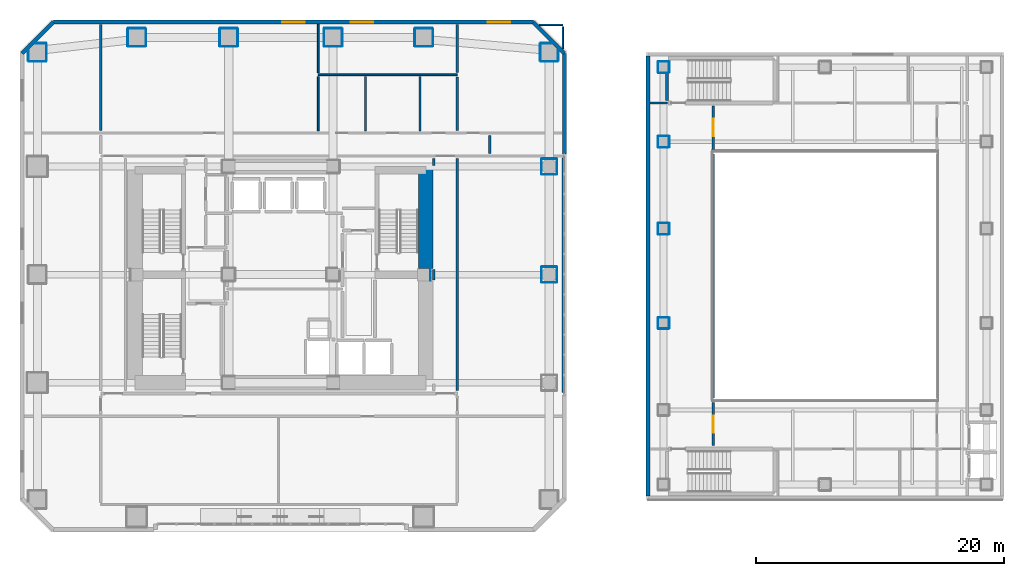
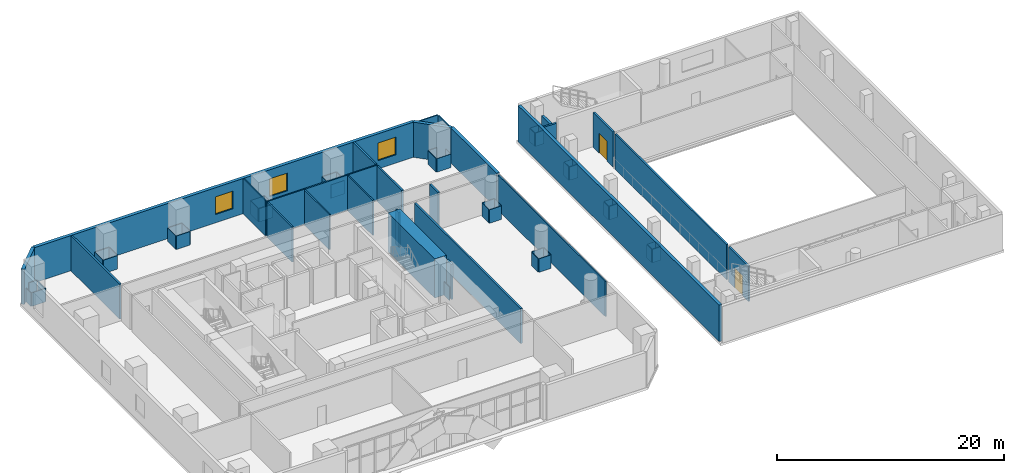
# One storey, part 17 of 22: 75 walls, 3 windows, 2 doors, 5 openings.
"""IFC4 building model written with IfcOpenShell, lengths in metres."""

from ifc_helpers import new_model, si_unit, direction, frame, frame_2d, origin, place, context, subcontext, project, spatial, rectangle, extrude, material, layer, layer_set, type_object, element, fill, save


model = new_model("IFC4")

# Units and contexts
model_context = context("Model", 3, precision=1e-05, world=origin(), true_north=direction((0.0, 1.0)))
body_context = subcontext(model_context, "Body", "Model", "MODEL_VIEW")
ifc_project = project(units=[si_unit("LENGTHUNIT", "METRE"), si_unit("AREAUNIT", "SQUARE_METRE"), si_unit("VOLUMEUNIT", "CUBIC_METRE"), si_unit("PLANEANGLEUNIT", "RADIAN"), si_unit("MASSUNIT", "GRAM", prefix="KILO")], contexts=[model_context])

# Site, building, storey
site_placement = place(None, origin())
site = spatial("IfcSite", under=ifc_project, at=site_placement, CompositionType="ELEMENT")
building_placement = place(site_placement, origin())
building = spatial("IfcBuilding", under=site, at=building_placement, Name="Solanera Arch Residences", CompositionType="ELEMENT")
storey_placement = place(building_placement, frame((0.0, 0.0, 13.60009765625)))
storey = spatial("IfcBuildingStorey", under=building, at=storey_placement, Name="L03", CompositionType="ELEMENT", Elevation=13.60009765625)

# Walls
ifc_material_1 = material(Name="Fire-Rated Gypsum Stud Partition", Category="gypsum")
ifc_layer_1 = layer(ifc_material_1, 0.06005859375)
ifc_layer_set_1 = layer_set([ifc_layer_1], Name="Fire-Rated Gypsum Stud Partition")
wall_type_1 = type_object("IfcWallType", Name="Column Acoustic Furring Wall 60", PredefinedType="PARTITIONING", material=ifc_layer_set_1)
wall_1_placement = place(storey_placement, frame((37.031982421875, 30.2099609375, 0.0), z_axis=(0.0, 0.0, 1.0), x_axis=(0.0, 1.0, 0.0)))
element("IfcWall", 1, at=wall_1_placement, inside=storey, type_object=wall_type_1, Name="L03 Column Furring 6E", PredefinedType="PARTITIONING", context=body_context, shape_type="SweptSolid", body=[
    extrude(rectangle(XDim=0.97998046875, YDim=0.06005859375, at=frame_2d((0.489990234375, 0.0))), origin(), (0.0, 0.0, 1.0), 1.449951171875),
])
for number, where, z_axis, x_axis, name in (
    (2, (12.699951171875, 49.068115234375, 0.0), (0.0, 0.0, 1.0), (1.0, 0.0, 0.0), "L03 Column Furring 11S"),
    (3, (12.699951171875, 50.531982421875, 0.0), (0.0, 0.0, 1.0), (1.0, 0.0, 0.0), "L03 Column Furring 11N"),
):
    element("IfcWall", number, at=place(storey_placement, frame(where, z_axis=z_axis, x_axis=x_axis)), inside=storey, type_object=wall_type_1, Name=name, PredefinedType="PARTITIONING", context=body_context, shape_type="SweptSolid", body=[
        extrude(rectangle(XDim=1.400146484375, YDim=0.06005859375, at=frame_2d((0.7001953125, 0.0))), origin(), (0.0, 0.0, 1.0), 1.449951171875),
    ])
for number, where, z_axis, x_axis, name in (
    (4, (12.66796875, 49.10009765625, 0.0), (0.0, 0.0, 1.0), (0.0, 1.0, 0.0), "L03 Column Furring 11W"),
    (5, (14.132080078125, 49.10009765625, 0.0), (0.0, 0.0, 1.0), (0.0, 1.0, 0.0), "L03 Column Furring 11E"),
    (6, (20.10009765625, 49.068115234375, 0.0), (0.0, 0.0, 1.0), (1.0, 0.0, 0.0), "L03 Column Furring 12S"),
    (7, (20.10009765625, 50.531982421875, 0.0), (0.0, 0.0, 1.0), (1.0, 0.0, 0.0), "L03 Column Furring 12N"),
    (8, (20.068115234375, 49.10009765625, 0.0), (0.0, 0.0, 1.0), (0.0, 1.0, 0.0), "L03 Column Furring 12W"),
    (9, (21.531982421875, 49.10009765625, 0.0), (0.0, 0.0, 1.0), (0.0, 1.0, 0.0), "L03 Column Furring 12E"),
    (10, (28.5, 49.068115234375, 0.0), (0.0, 0.0, 1.0), (1.0, 0.0, 0.0), "L03 Column Furring 13S"),
    (11, (28.5, 50.531982421875, 0.0), (0.0, 0.0, 1.0), (1.0, 0.0, 0.0), "L03 Column Furring 13N"),
    (12, (28.468017578125, 49.10009765625, 0.0), (0.0, 0.0, 1.0), (0.0, 1.0, 0.0), "L03 Column Furring 13W"),
    (13, (29.931884765625, 49.10009765625, 0.0), (0.0, 0.0, 1.0), (0.0, 1.0, 0.0), "L03 Column Furring 13E"),
    (14, (35.800048828125, 49.068115234375, 0.0), (0.0, 0.0, 1.0), (1.0, 0.0, 0.0), "L03 Column Furring 14S"),
    (15, (35.800048828125, 50.531982421875, 0.0), (0.0, 0.0, 1.0), (1.0, 0.0, 0.0), "L03 Column Furring 14N"),
    (16, (35.76806640625, 49.10009765625, 0.0), (0.0, 0.0, 1.0), (0.0, 1.0, 0.0), "L03 Column Furring 14W"),
    (17, (37.23193359375, 49.10009765625, 0.0), (0.0, 0.0, 1.0), (0.0, 1.0, 0.0), "L03 Column Furring 14E"),
):
    element("IfcWall", number, at=place(storey_placement, frame(where, z_axis=z_axis, x_axis=x_axis)), inside=storey, type_object=wall_type_1, Name=name, PredefinedType="PARTITIONING", context=body_context, shape_type="SweptSolid", body=[
        extrude(rectangle(XDim=1.39990234375, YDim=0.06005859375, at=frame_2d((0.699951171875, 0.0))), origin(), (0.0, 0.0, 1.0), 1.449951171875),
    ])
for number, where, z_axis, x_axis, name in (
    (18, (46.0, 30.068115234375, 0.0), (0.0, 0.0, 1.0), (1.0, 0.0, 0.0), "L03 Column Furring 19S"),
    (19, (46.0, 31.33203125, 0.0), (0.0, 0.0, 1.0), (1.0, 0.0, 0.0), "L03 Column Furring 19N"),
    (20, (45.968017578125, 30.10009765625, 0.0), (0.0, 0.0, 1.0), (0.0, 1.0, 0.0), "L03 Column Furring 19W"),
    (21, (47.23193359375, 30.10009765625, 0.0), (0.0, 0.0, 1.0), (0.0, 1.0, 0.0), "L03 Column Furring 19E"),
    (22, (46.0, 38.76806640625, 0.0), (0.0, 0.0, 1.0), (1.0, 0.0, 0.0), "L03 Column Furring 20S"),
    (23, (46.0, 40.031982421875, 0.0), (0.0, 0.0, 1.0), (1.0, 0.0, 0.0), "L03 Column Furring 20N"),
    (24, (45.968017578125, 38.800048828125, 0.0), (0.0, 0.0, 1.0), (0.0, 1.0, 0.0), "L03 Column Furring 20W"),
    (25, (47.23193359375, 38.800048828125, 0.0), (0.0, 0.0, 1.0), (0.0, 1.0, 0.0), "L03 Column Furring 20E"),
):
    element("IfcWall", number, at=place(storey_placement, frame(where, z_axis=z_axis, x_axis=x_axis)), inside=storey, type_object=wall_type_1, Name=name, PredefinedType="PARTITIONING", context=body_context, shape_type="SweptSolid", body=[
        extrude(rectangle(XDim=1.199951171875, YDim=0.06005859375, at=frame_2d((0.60009765625, 0.0))), origin(), (0.0, 0.0, 1.0), 1.449951171875),
    ])
wall_2_placement = place(storey_placement, frame((4.699951171875, 47.867919921875, 0.0), z_axis=(0.0, 0.0, 1.0), x_axis=(1.0, 0.0, 0.0)))
element("IfcWall", 26, at=wall_2_placement, inside=storey, type_object=wall_type_1, Name="L03 Column Furring 23S", PredefinedType="PARTITIONING", context=body_context, shape_type="SweptSolid", body=[
    extrude(rectangle(XDim=1.400146484375, YDim=0.06005859375, at=frame_2d((0.7001953125, 0.0))), origin(), (0.0, 0.0, 1.0), 1.449951171875),
])
for number, where, z_axis, x_axis, name in (
    (27, (5.239013671875, 49.33203125, 0.0), (0.0, 0.0, 1.0), (1.0, 0.0, 0.0), "L03 Column Furring 23N"),
    (28, (4.66796875, 47.89990234375, 0.0), (0.0, 0.0, 1.0), (0.0, 1.0, 0.0), "L03 Column Furring 23W"),
):
    element("IfcWall", number, at=place(storey_placement, frame(where, z_axis=z_axis, x_axis=x_axis)), inside=storey, type_object=wall_type_1, Name=name, PredefinedType="PARTITIONING", context=body_context, shape_type="SweptSolid", body=[
        extrude(rectangle(XDim=0.861083984375, YDim=0.06005859375, at=frame_2d((0.4306640625, 0.0))), origin(), (0.0, 0.0, 1.0), 1.449951171875),
    ])
for number, where, z_axis, x_axis, name in (
    (29, (6.132080078125, 47.89990234375, 0.0), (0.0, 0.0, 1.0), (0.0, 1.0, 0.0), "L03 Column Furring 23E"),
    (30, (45.89990234375, 47.867919921875, 0.0), (0.0, 0.0, 1.0), (1.0, 0.0, 0.0), "L03 Column Furring 24S"),
):
    element("IfcWall", number, at=place(storey_placement, frame(where, z_axis=z_axis, x_axis=x_axis)), inside=storey, type_object=wall_type_1, Name=name, PredefinedType="PARTITIONING", context=body_context, shape_type="SweptSolid", body=[
        extrude(rectangle(XDim=1.400146484375, YDim=0.06005859375, at=frame_2d((0.7001953125, 0.0))), origin(), (0.0, 0.0, 1.0), 1.449951171875),
    ])
wall_3_placement = place(storey_placement, frame((45.89990234375, 49.33203125, 0.0), z_axis=(0.0, 0.0, 1.0), x_axis=(1.0, 0.0, 0.0)))
element("IfcWall", 31, at=wall_3_placement, inside=storey, type_object=wall_type_1, Name="L03 Column Furring 24N", PredefinedType="PARTITIONING", context=body_context, shape_type="SweptSolid", body=[
    extrude(rectangle(XDim=0.861083984375, YDim=0.06005859375, at=frame_2d((0.4306640625, 0.0))), origin(), (0.0, 0.0, 1.0), 1.449951171875),
])
wall_4_placement = place(storey_placement, frame((45.867919921875, 47.89990234375, 0.0), z_axis=(0.0, 0.0, 1.0), x_axis=(0.0, 1.0, 0.0)))
element("IfcWall", 32, at=wall_4_placement, inside=storey, type_object=wall_type_1, Name="L03 Column Furring 24W", PredefinedType="PARTITIONING", context=body_context, shape_type="SweptSolid", body=[
    extrude(rectangle(XDim=1.400146484375, YDim=0.06005859375, at=frame_2d((0.7001953125, 0.0))), origin(), (0.0, 0.0, 1.0), 1.449951171875),
])
wall_5_placement = place(storey_placement, frame((47.33203125, 47.89990234375, 0.0), z_axis=(0.0, 0.0, 1.0), x_axis=(0.0, 1.0, 0.0)))
element("IfcWall", 33, at=wall_5_placement, inside=storey, type_object=wall_type_1, Name="L03 Column Furring 24E", PredefinedType="PARTITIONING", context=body_context, shape_type="SweptSolid", body=[
    extrude(rectangle(XDim=0.861083984375, YDim=0.06005859375, at=frame_2d((0.4306640625, 0.0))), origin(), (0.0, 0.0, 1.0), 1.449951171875),
])
for number, where, z_axis, x_axis, name in (
    (34, (55.375, 26.343017578125, 0.0), (0.0, 0.0, 1.0), (1.0, 0.0, 0.0), "L03 Column Furring 27S"),
    (35, (55.375, 27.257080078125, 0.0), (0.0, 0.0, 1.0), (1.0, 0.0, 0.0), "L03 Column Furring 27N"),
    (36, (55.343017578125, 26.375, 0.0), (0.0, 0.0, 1.0), (0.0, 1.0, 0.0), "L03 Column Furring 27W"),
    (37, (56.257080078125, 26.375, 0.0), (0.0, 0.0, 1.0), (0.0, 1.0, 0.0), "L03 Column Furring 27E"),
    (38, (55.375, 33.943115234375, 0.0), (0.0, 0.0, 1.0), (1.0, 0.0, 0.0), "L03 Column Furring 28S"),
    (39, (55.375, 34.85693359375, 0.0), (0.0, 0.0, 1.0), (1.0, 0.0, 0.0), "L03 Column Furring 28N"),
):
    element("IfcWall", number, at=place(storey_placement, frame(where, z_axis=z_axis, x_axis=x_axis)), inside=storey, type_object=wall_type_1, Name=name, PredefinedType="PARTITIONING", context=body_context, shape_type="SweptSolid", body=[
        extrude(rectangle(XDim=0.85009765625, YDim=0.06005859375, at=frame_2d((0.425048828125, 0.0))), origin(), (0.0, 0.0, 1.0), 1.449951171875),
    ])
for number, where, z_axis, x_axis, name in (
    (40, (55.343017578125, 33.97509765625, 0.0), (0.0, 0.0, 1.0), (0.0, 1.0, 0.0), "L03 Column Furring 28W"),
    (41, (56.257080078125, 33.97509765625, 0.0), (0.0, 0.0, 1.0), (0.0, 1.0, 0.0), "L03 Column Furring 28E"),
):
    element("IfcWall", number, at=place(storey_placement, frame(where, z_axis=z_axis, x_axis=x_axis)), inside=storey, type_object=wall_type_1, Name=name, PredefinedType="PARTITIONING", context=body_context, shape_type="SweptSolid", body=[
        extrude(rectangle(XDim=0.849853515625, YDim=0.06005859375, at=frame_2d((0.4248046875, 0.0))), origin(), (0.0, 0.0, 1.0), 1.449951171875),
    ])
for number, where, z_axis, x_axis, name in (
    (42, (55.375, 40.943115234375, 0.0), (0.0, 0.0, 1.0), (1.0, 0.0, 0.0), "L03 Column Furring 29S"),
    (43, (55.375, 41.85693359375, 0.0), (0.0, 0.0, 1.0), (1.0, 0.0, 0.0), "L03 Column Furring 29N"),
):
    element("IfcWall", number, at=place(storey_placement, frame(where, z_axis=z_axis, x_axis=x_axis)), inside=storey, type_object=wall_type_1, Name=name, PredefinedType="PARTITIONING", context=body_context, shape_type="SweptSolid", body=[
        extrude(rectangle(XDim=0.85009765625, YDim=0.06005859375, at=frame_2d((0.425048828125, 0.0))), origin(), (0.0, 0.0, 1.0), 1.449951171875),
    ])
for number, where, z_axis, x_axis, name in (
    (44, (55.343017578125, 40.97509765625, 0.0), (0.0, 0.0, 1.0), (0.0, 1.0, 0.0), "L03 Column Furring 29W"),
    (45, (56.257080078125, 40.97509765625, 0.0), (0.0, 0.0, 1.0), (0.0, 1.0, 0.0), "L03 Column Furring 29E"),
):
    element("IfcWall", number, at=place(storey_placement, frame(where, z_axis=z_axis, x_axis=x_axis)), inside=storey, type_object=wall_type_1, Name=name, PredefinedType="PARTITIONING", context=body_context, shape_type="SweptSolid", body=[
        extrude(rectangle(XDim=0.849853515625, YDim=0.06005859375, at=frame_2d((0.4248046875, 0.0))), origin(), (0.0, 0.0, 1.0), 1.449951171875),
    ])
for number, where, z_axis, x_axis, name in (
    (46, (55.375, 46.943115234375, 0.0), (0.0, 0.0, 1.0), (1.0, 0.0, 0.0), "L03 Column Furring 30S"),
    (47, (55.375, 47.85693359375, 0.0), (0.0, 0.0, 1.0), (1.0, 0.0, 0.0), "L03 Column Furring 30N"),
):
    element("IfcWall", number, at=place(storey_placement, frame(where, z_axis=z_axis, x_axis=x_axis)), inside=storey, type_object=wall_type_1, Name=name, PredefinedType="PARTITIONING", context=body_context, shape_type="SweptSolid", body=[
        extrude(rectangle(XDim=0.85009765625, YDim=0.06005859375, at=frame_2d((0.425048828125, 0.0))), origin(), (0.0, 0.0, 1.0), 1.449951171875),
    ])
for number, where, z_axis, x_axis, name in (
    (48, (55.343017578125, 46.97509765625, 0.0), (0.0, 0.0, 1.0), (0.0, 1.0, 0.0), "L03 Column Furring 30W"),
    (49, (56.257080078125, 46.97509765625, 0.0), (0.0, 0.0, 1.0), (0.0, 1.0, 0.0), "L03 Column Furring 30E"),
):
    element("IfcWall", number, at=place(storey_placement, frame(where, z_axis=z_axis, x_axis=x_axis)), inside=storey, type_object=wall_type_1, Name=name, PredefinedType="PARTITIONING", context=body_context, shape_type="SweptSolid", body=[
        extrude(rectangle(XDim=0.849853515625, YDim=0.06005859375, at=frame_2d((0.4248046875, 0.0))), origin(), (0.0, 0.0, 1.0), 1.449951171875),
    ])
ifc_material_2 = material(Name="Concrete C55/67 (f'c = 60 MPa)", Category="concrete")
ifc_layer_2 = layer(ifc_material_2, 1.199951171875)
ifc_layer_set_2 = layer_set([ifc_layer_2], Name="Concrete C55/67 (f'c = 60 MPa)")
wall_type_2 = type_object("IfcWallType", Name="Core Shear Wall CW-1200", PredefinedType="SHEAR", material=ifc_layer_set_2)
wall_6_placement = place(storey_placement, frame((36.659912109375, 31.205078125, 0.0), z_axis=(0.0, 0.0, 1.0), x_axis=(0.0, 1.0, 0.0)))
element("IfcWall", 50, at=wall_6_placement, inside=storey, type_object=wall_type_2, Name="L03 East Core North Shear Wall", PredefinedType="SHEAR", context=body_context, shape_type="SweptSolid", body=[
    extrude(rectangle(XDim=8.19482421875, YDim=1.199951171875, at=frame_2d((4.097412109375, 0.0))), origin(), (0.0, 0.0, 1.0), 4.199951171875),
])
ifc_material_3 = material(Name="Autoclaved Aerated Concrete Blockwork", Category="masonry")
ifc_layer_3 = layer(ifc_material_3, 0.179931640625)
ifc_layer_set_3 = layer_set([ifc_layer_3], Name="Autoclaved Aerated Concrete Blockwork")
wall_type_3 = type_object("IfcWallType", Name="Corridor Fire Partition 180", PredefinedType="PARTITIONING", material=ifc_layer_set_3)
wall_7_placement = place(storey_placement, frame((54.7119140625, 44.52001953125, 0.0), z_axis=(0.0, 0.0, 1.0), x_axis=(1.0, 0.0, 0.0)))
element("IfcWall", 51, at=wall_7_placement, inside=storey, type_object=wall_type_3, Name="L03 Interior Partition H16 1", PredefinedType="PARTITIONING", context=body_context, shape_type="SweptSolid", body=[
    extrude(rectangle(XDim=1.38818359375, YDim=0.179931640625, at=frame_2d((0.694091796875, 0.0))), origin(), (0.0, 0.0, 1.0), 3.77978515625),
])
wall_8_placement = place(storey_placement, frame((10.5, 42.2880859375, 0.0), z_axis=(0.0, 0.0, 1.0), x_axis=(0.0, 1.0, 0.0)))
element("IfcWall", 52, at=wall_8_placement, inside=storey, type_object=wall_type_3, Name="L03 Interior Partition V6 5", PredefinedType="PARTITIONING", context=body_context, shape_type="SweptSolid", body=[
    extrude(rectangle(XDim=8.559814453125, YDim=0.179931640625, at=frame_2d((4.27978515625, 0.0))), origin(), (0.0, 0.0, 1.0), 3.77978515625),
])
wall_9_placement = place(storey_placement, frame((37.300048828125, 30.287109375, 0.0), z_axis=(0.0, 0.0, 1.0), x_axis=(0.0, 1.0, 0.0)))
element("IfcWall", 53, at=wall_9_placement, inside=storey, type_object=wall_type_3, Name="L03 Interior Partition V9 2", PredefinedType="PARTITIONING", context=body_context, shape_type="SweptSolid", body=[
    extrude(rectangle(XDim=0.825927734375, YDim=0.179931640625, at=frame_2d((0.4130859375, 0.0))), origin(), (0.0, 0.0, 1.0), 3.77978515625),
])
wall_10_placement = place(storey_placement, frame((37.300048828125, 39.491943359375, 0.0), z_axis=(0.0, 0.0, 1.0), x_axis=(0.0, 1.0, 0.0)))
element("IfcWall", 54, at=wall_10_placement, inside=storey, type_object=wall_type_3, Name="L03 Interior Partition V9 3", PredefinedType="PARTITIONING", context=body_context, shape_type="SweptSolid", body=[
    extrude(rectangle(XDim=0.570068359375, YDim=0.179931640625, at=frame_2d((0.28515625, 0.0))), origin(), (0.0, 0.0, 1.0), 3.77978515625),
])
wall_11_placement = place(storey_placement, frame((39.199951171875, 21.367919921875, 0.0), z_axis=(0.0, 0.0, 1.0), x_axis=(0.0, 1.0, 0.0)))
element("IfcWall", 55, at=wall_11_placement, inside=storey, type_object=wall_type_3, Name="L03 Interior Partition V10 3", PredefinedType="PARTITIONING", context=body_context, shape_type="SweptSolid", body=[
    extrude(rectangle(XDim=18.694091796875, YDim=0.179931640625, at=frame_2d((9.34716796875, 0.0))), origin(), (0.0, 0.0, 1.0), 3.77978515625),
])
wall_12_placement = place(storey_placement, frame((39.199951171875, 42.2880859375, 0.0), z_axis=(0.0, 0.0, 1.0), x_axis=(0.0, 1.0, 0.0)))
element("IfcWall", 56, at=wall_12_placement, inside=storey, type_object=wall_type_3, Name="L03 Interior Partition V11 1", PredefinedType="PARTITIONING", context=body_context, shape_type="SweptSolid", body=[
    extrude(rectangle(XDim=4.343994140625, YDim=0.179931640625, at=frame_2d((2.171875, 0.0))), origin(), (0.0, 0.0, 1.0), 3.77978515625),
])
wall_13_placement = place(storey_placement, frame((39.199951171875, 46.968017578125, 0.0), z_axis=(0.0, 0.0, 1.0), x_axis=(0.0, 1.0, 0.0)))
element("IfcWall", 57, at=wall_13_placement, inside=storey, type_object=wall_type_3, Name="L03 Interior Partition V11 2", PredefinedType="PARTITIONING", context=body_context, shape_type="SweptSolid", body=[
    extrude(rectangle(XDim=3.8798828125, YDim=0.179931640625, at=frame_2d((1.93994140625, 0.0))), origin(), (0.0, 0.0, 1.0), 3.77978515625),
])
wall_14_placement = place(storey_placement, frame((41.800048828125, 40.43798828125, 0.0), z_axis=(0.0, 0.0, 1.0), x_axis=(0.0, 1.0, 0.0)))
element("IfcWall", 58, at=wall_14_placement, inside=storey, type_object=wall_type_3, Name="L03 Interior Partition V12", PredefinedType="PARTITIONING", context=body_context, shape_type="SweptSolid", body=[
    extrude(rectangle(XDim=1.47412109375, YDim=0.179931640625, at=frame_2d((0.737060546875, 0.0))), origin(), (0.0, 0.0, 1.0), 3.77978515625),
])

# Wall, opening, door
wall_15_placement = place(storey_placement, frame((59.800048828125, 16.93994140625, 0.0), z_axis=(0.0, 0.0, 1.0), x_axis=(0.0, 1.0, 0.0)))
wall_15 = element("IfcWall", 59, at=wall_15_placement, inside=storey, type_object=wall_type_3, Name="L03 Interior Partition V14 1", PredefinedType="PARTITIONING", context=body_context, shape_type="SweptSolid", body=[
    extrude(rectangle(XDim=3.47216796875, YDim=0.179931640625, at=frame_2d((1.736083984375, 0.0))), origin(), (0.0, 0.0, 1.0), 3.77978515625),
])
opening_1_placement = place(wall_15_placement, frame((1.02392578125, 0.0, 0.0)))
opening_1 = element("IfcOpeningElement", 60, at=opening_1_placement, cuts=wall_15, Name="Opening DF-03", PredefinedType="OPENING", context=body_context, shape_type="SweptSolid", body=[
    extrude(rectangle(XDim=1.39990234375, YDim=2.14990234375, at=frame_2d((0.699951171875, 1.074951171875))), frame((0.0, 0.10009765625, 0.0), z_axis=(0.0, -1.0, 0.0), x_axis=(1.0, 0.0, 0.0)), (0.0, 0.0, 1.0), 0.1999),
])
ifc_material_4 = material(Name="Fire-Rated Architectural Hardwood", Category="wood")
door_type = type_object("IfcDoorType", Name="Corridor Smoke Door DF-03", OperationType="NOTDEFINED", PredefinedType="DOOR", material=ifc_material_4)
door_1_placement = place(opening_1_placement, origin())
door_1 = element("IfcDoor", 61, at=door_1_placement, inside=storey, type_object=door_type, Name="DR-L03-IN-018", OperationType="SINGLE_SWING_LEFT", OverallHeight=2.14990234375, OverallWidth=1.39990234375, PredefinedType="DOOR", context=body_context, shape_type="SweptSolid", body=[
    extrude(rectangle(XDim=1.39990234375, YDim=2.14990234375, at=frame_2d((0.699951171875, 1.074951171875))), frame((0.0, 0.02490234375, 0.0), z_axis=(0.0, -1.0, 0.0), x_axis=(1.0, 0.0, 0.0)), (0.0, 0.0, 1.0), 0.050048828125),
])
fill(opening_1, door_1)

# Wall
wall_16_placement = place(storey_placement, frame((59.800048828125, 20.7880859375, 0.0), z_axis=(0.0, 0.0, 1.0), x_axis=(0.0, 1.0, 0.0)))
element("IfcWall", 62, at=wall_16_placement, inside=storey, type_object=wall_type_3, Name="L03 Interior Partition V14 2", PredefinedType="PARTITIONING", context=body_context, shape_type="SweptSolid", body=[
    extrude(rectangle(XDim=19.6240234375, YDim=0.179931640625, at=frame_2d((9.81201171875, 0.0))), origin(), (0.0, 0.0, 1.0), 3.77978515625),
])

# Wall, opening, door
wall_17_placement = place(storey_placement, frame((59.800048828125, 40.7880859375, 0.0), z_axis=(0.0, 0.0, 1.0), x_axis=(0.0, 1.0, 0.0)))
wall_17 = element("IfcWall", 63, at=wall_17_placement, inside=storey, type_object=wall_type_3, Name="L03 Interior Partition V14 3", PredefinedType="PARTITIONING", context=body_context, shape_type="SweptSolid", body=[
    extrude(rectangle(XDim=3.471923828125, YDim=0.179931640625, at=frame_2d((1.73583984375, 0.0))), origin(), (0.0, 0.0, 1.0), 3.77978515625),
])
opening_2_placement = place(wall_17_placement, frame((1.048095703125, 0.0, 0.0)))
opening_2 = element("IfcOpeningElement", 64, at=opening_2_placement, cuts=wall_17, Name="Opening DF-03", PredefinedType="OPENING", context=body_context, shape_type="SweptSolid", body=[
    extrude(rectangle(XDim=1.39990234375, YDim=2.14990234375, at=frame_2d((0.699951171875, 1.074951171875))), frame((0.0, 0.10009765625, 0.0), z_axis=(0.0, -1.0, 0.0), x_axis=(1.0, 0.0, 0.0)), (0.0, 0.0, 1.0), 0.1999),
])
door_2_placement = place(opening_2_placement, origin())
door_2 = element("IfcDoor", 65, at=door_2_placement, inside=storey, type_object=door_type, Name="DR-L03-IN-019", OperationType="SINGLE_SWING_RIGHT", OverallHeight=2.14990234375, OverallWidth=1.39990234375, PredefinedType="DOOR", context=body_context, shape_type="SweptSolid", body=[
    extrude(rectangle(XDim=1.39990234375, YDim=2.14990234375, at=frame_2d((0.699951171875, 1.074951171875))), frame((0.0, 0.02490234375, 0.0), z_axis=(0.0, -1.0, 0.0), x_axis=(1.0, 0.0, 0.0)), (0.0, 0.0, 1.0), 0.050048828125),
])
fill(opening_2, door_2)

# Walls
ifc_material_5 = material(Name="Precast Concrete C35/45", Category="concrete")
ifc_layer_4 = layer(ifc_material_5, 0.300048828125)
ifc_layer_set_4 = layer_set([ifc_layer_4], Name="Precast Concrete C35/45")
wall_type_4 = type_object("IfcWallType", Name="Exterior Wall Precast Masonry-Frame 300", PredefinedType="STANDARD", material=ifc_layer_set_4)
wall_18_placement = place(storey_placement, frame((54.550048828125, 12.89990234375, 0.0), z_axis=(0.0, 0.0, 1.0), x_axis=(0.0, 1.0, 0.0)))
element("IfcWall", 66, at=wall_18_placement, inside=storey, type_object=wall_type_4, Name="L03 Sports Hall Exterior Precast Wall W", PredefinedType="STANDARD", context=body_context, shape_type="SweptSolid", body=[
    extrude(rectangle(XDim=35.400146484375, YDim=0.300048828125, at=frame_2d((17.7001953125, 0.0))), origin(), (0.0, 0.0, 1.0), 3.919921875),
])
ifc_material_6 = material(Name="Precast Concrete C35/45", Category="concrete")
ifc_layer_5 = layer(ifc_material_6, 0.320068359375)
ifc_layer_set_5 = layer_set([ifc_layer_5], Name="Precast Concrete C35/45")
wall_type_5 = type_object("IfcWallType", Name="Exterior Wall Precast Masonry-Frame 320", PredefinedType="STANDARD", material=ifc_layer_set_5)
wall_19_placement = place(storey_placement, frame((4.179931640625, 48.52001953125, 0.0), z_axis=(0.0, 0.0, 1.0), x_axis=(0.707106781187, 0.707106781187, 0.0)))
element("IfcWall", 67, at=wall_19_placement, inside=storey, type_object=wall_type_5, Name="L03 Podium Precast Masonry-Frame Wall 2", PredefinedType="STANDARD", context=body_context, shape_type="SweptSolid", body=[
    extrude(rectangle(XDim=3.53564453125, YDim=0.320068359375, at=frame_2d((1.767822265625, 0.0))), origin(), (0.0, 0.0, 1.0), 3.77978515625),
])

# Wall, openings, windows
wall_20_placement = place(storey_placement, frame((6.679931640625, 51.02001953125, 0.0), z_axis=(0.0, 0.0, 1.0), x_axis=(1.0, 0.0, 0.0)))
wall_20 = element("IfcWall", 68, at=wall_20_placement, inside=storey, type_object=wall_type_5, Name="L03 Podium Precast Masonry-Frame Wall 3", PredefinedType="STANDARD", context=body_context, shape_type="SweptSolid", body=[
    extrude(rectangle(XDim=38.64013671875, YDim=0.320068359375, at=frame_2d((19.320068359375, 0.0))), origin(), (0.0, 0.0, 1.0), 3.77978515625),
])
opening_3_placement = place(wall_20_placement, frame((18.419921875, 0.0, 0.89990234375)))
opening_3 = element("IfcOpeningElement", 69, at=opening_3_placement, cuts=wall_20, Name="Opening W-03", PredefinedType="OPENING", context=body_context, shape_type="SweptSolid", body=[
    extrude(rectangle(XDim=1.800048828125, YDim=1.89990234375, at=frame_2d((0.89990234375, 0.949951171875))), frame((0.0, 0.169921875, 0.0), z_axis=(0.0, -1.0, 0.0), x_axis=(1.0, 0.0, 0.0)), (0.0, 0.0, 1.0), 0.3401),
])
opening_4_placement = place(wall_20_placement, frame((23.93994140625, 0.0, 0.89990234375)))
opening_4 = element("IfcOpeningElement", 70, at=opening_4_placement, cuts=wall_20, Name="Opening W-03", PredefinedType="OPENING", context=body_context, shape_type="SweptSolid", body=[
    extrude(rectangle(XDim=1.800048828125, YDim=1.89990234375, at=frame_2d((0.89990234375, 0.949951171875))), frame((0.0, 0.169921875, 0.0), z_axis=(0.0, -1.0, 0.0), x_axis=(1.0, 0.0, 0.0)), (0.0, 0.0, 1.0), 0.3401),
])
opening_5_placement = place(wall_20_placement, frame((34.97998046875, 0.0, 0.89990234375)))
opening_5 = element("IfcOpeningElement", 71, at=opening_5_placement, cuts=wall_20, Name="Opening W-03", PredefinedType="OPENING", context=body_context, shape_type="SweptSolid", body=[
    extrude(rectangle(XDim=1.800048828125, YDim=1.89990234375, at=frame_2d((0.89990234375, 0.949951171875))), frame((0.0, 0.169921875, 0.0), z_axis=(0.0, -1.0, 0.0), x_axis=(1.0, 0.0, 0.0)), (0.0, 0.0, 1.0), 0.3401),
])
ifc_material_7 = material(Name="Double Glazed Low-E Laminated Glass", Category="glass")
window_type = type_object("IfcWindowType", Name="Punched Window W-03", PartitioningType="DOUBLE_PANEL_VERTICAL", PredefinedType="WINDOW", material=ifc_material_7)
window_1_placement = place(opening_3_placement, origin())
window_1 = element("IfcWindow", 72, at=window_1_placement, inside=storey, type_object=window_type, Name="L03 Podium Window 3.4", OverallHeight=1.89990234375, OverallWidth=1.800048828125, PartitioningType="SINGLE_PANEL", PredefinedType="WINDOW", context=body_context, shape_type="SweptSolid", body=[
    extrude(rectangle(XDim=1.800048828125, YDim=1.89990234375, at=frame_2d((0.89990234375, 0.949951171875))), frame((0.0, 0.030029296875, 0.0), z_axis=(0.0, -1.0, 0.0), x_axis=(1.0, 0.0, 0.0)), (0.0, 0.0, 1.0), 0.06005859375),
])
fill(opening_3, window_1)
window_2_placement = place(opening_4_placement, origin())
window_2 = element("IfcWindow", 73, at=window_2_placement, inside=storey, type_object=window_type, Name="L03 Podium Window 3.5", OverallHeight=1.89990234375, OverallWidth=1.800048828125, PartitioningType="SINGLE_PANEL", PredefinedType="WINDOW", context=body_context, shape_type="SweptSolid", body=[
    extrude(rectangle(XDim=1.800048828125, YDim=1.89990234375, at=frame_2d((0.89990234375, 0.949951171875))), frame((0.0, 0.030029296875, 0.0), z_axis=(0.0, -1.0, 0.0), x_axis=(1.0, 0.0, 0.0)), (0.0, 0.0, 1.0), 0.06005859375),
])
fill(opening_4, window_2)
window_3_placement = place(opening_5_placement, origin())
window_3 = element("IfcWindow", 74, at=window_3_placement, inside=storey, type_object=window_type, Name="L03 Podium Window 3.7", OverallHeight=1.89990234375, OverallWidth=1.800048828125, PartitioningType="SINGLE_PANEL", PredefinedType="WINDOW", context=body_context, shape_type="SweptSolid", body=[
    extrude(rectangle(XDim=1.800048828125, YDim=1.89990234375, at=frame_2d((0.89990234375, 0.949951171875))), frame((0.0, 0.030029296875, 0.0), z_axis=(0.0, -1.0, 0.0), x_axis=(1.0, 0.0, 0.0)), (0.0, 0.0, 1.0), 0.06005859375),
])
fill(opening_5, window_3)

# Walls
wall_21_placement = place(storey_placement, frame((45.320068359375, 51.02001953125, 0.0), z_axis=(0.0, 0.0, 1.0), x_axis=(0.707106781187, -0.707106781187, 0.0)))
element("IfcWall", 75, at=wall_21_placement, inside=storey, type_object=wall_type_5, Name="L03 Podium Precast Masonry-Frame Wall 4", PredefinedType="STANDARD", context=body_context, shape_type="SweptSolid", body=[
    extrude(rectangle(XDim=3.53564453125, YDim=0.320068359375, at=frame_2d((1.767822265625, 0.0))), origin(), (0.0, 0.0, 1.0), 3.77978515625),
])
wall_22_placement = place(storey_placement, frame((47.820068359375, 48.52001953125, 0.0), z_axis=(0.0, 0.0, 1.0), x_axis=(0.0, -1.0, 0.0)))
element("IfcWall", 76, at=wall_22_placement, inside=storey, type_object=wall_type_5, Name="L03 Podium East Pier 1", PredefinedType="STANDARD", context=body_context, shape_type="SweptSolid", body=[
    extrude(rectangle(XDim=8.1201171875, YDim=0.320068359375, at=frame_2d((4.06005859375, 0.0))), origin(), (0.0, 0.0, 1.0), 3.77978515625),
])
ifc_material_8 = material(Name="Autoclaved Aerated Concrete Blockwork", Category="masonry")
ifc_layer_6 = layer(ifc_material_8, 0.239990234375)
ifc_layer_set_6 = layer_set([ifc_layer_6], Name="Autoclaved Aerated Concrete Blockwork")
wall_type_6 = type_object("IfcWallType", Name="Shaft Wall Fire-Rated 240", PredefinedType="PARTITIONING", material=ifc_layer_set_6)
wall_23_placement = place(storey_placement, frame((56.080078125, 44.72998046875, 0.0), z_axis=(0.0, 0.0, 1.0), x_axis=(0.0, 1.0, 0.0)))
element("IfcWall", 77, at=wall_23_placement, inside=storey, type_object=wall_type_6, Name="L03 Stair ST-H2 West Wall", PredefinedType="PARTITIONING", context=body_context, shape_type="SweptSolid", body=[
    extrude(rectangle(XDim=2.113037109375, YDim=0.239990234375, at=frame_2d((1.056640625, 0.0))), origin(), (0.0, 0.0, 1.0), 3.15478515625),
])
ifc_material_9 = material(Name="Fire-Rated Gypsum Stud Partition", Category="gypsum")
ifc_layer_7 = layer(ifc_material_9, 0.1201171875)
ifc_layer_set_7 = layer_set([ifc_layer_7], Name="Fire-Rated Gypsum Stud Partition")
wall_type_7 = type_object("IfcWallType", Name="Unit Drywall Partition 120", PredefinedType="PARTITIONING", material=ifc_layer_set_7)
wall_24_placement = place(storey_placement, frame((45.782958984375, 50.800048828125, 0.0), z_axis=(0.0, 0.0, 1.0), x_axis=(1.0, 0.0, 0.0)))
element("IfcWall", 78, at=wall_24_placement, inside=storey, type_object=wall_type_7, Name="L03 Interior Partition H22", PredefinedType="PARTITIONING", context=body_context, shape_type="SweptSolid", body=[
    extrude(rectangle(XDim=1.9169921875, YDim=0.1201171875, at=frame_2d((0.95849609375, 0.0))), origin(), (0.0, 0.0, 1.0), 3.77978515625),
])
wall_25_placement = place(storey_placement, frame((47.699951171875, 21.239990234375, 0.0), z_axis=(0.0, 0.0, 1.0), x_axis=(0.0, 1.0, 0.0)))
element("IfcWall", 79, at=wall_25_placement, inside=storey, type_object=wall_type_7, Name="L03 Interior Partition V24", PredefinedType="PARTITIONING", context=body_context, shape_type="SweptSolid", body=[
    extrude(rectangle(XDim=18.85205078125, YDim=0.1201171875, at=frame_2d((9.426025390625, 0.0))), origin(), (0.0, 0.0, 1.0), 3.77978515625),
])
wall_26_placement = place(storey_placement, frame((47.699951171875, 48.883056640625, 0.0), z_axis=(0.0, 0.0, 1.0), x_axis=(0.0, 1.0, 0.0)))
element("IfcWall", 80, at=wall_26_placement, inside=storey, type_object=wall_type_7, Name="L03 Interior Partition V25", PredefinedType="PARTITIONING", context=body_context, shape_type="SweptSolid", body=[
    extrude(rectangle(XDim=1.7890625, YDim=0.1201171875, at=frame_2d((0.89453125, 0.0))), origin(), (0.0, 0.0, 1.0), 3.77978515625),
])
ifc_material_10 = material(Name="Autoclaved Aerated Concrete Blockwork", Category="masonry")
ifc_layer_8 = layer(ifc_material_10, 0.139892578125)
ifc_layer_set_8 = layer_set([ifc_layer_8], Name="Autoclaved Aerated Concrete Blockwork")
wall_type_8 = type_object("IfcWallType", Name="Wet-Room Partition 140", PredefinedType="PARTITIONING", material=ifc_layer_set_8)
wall_27_placement = place(storey_placement, frame((28.0, 46.800048828125, 0.0), z_axis=(0.0, 0.0, 1.0), x_axis=(1.0, 0.0, 0.0)))
element("IfcWall", 81, at=wall_27_placement, inside=storey, type_object=wall_type_8, Name="L03 Interior Partition H18", PredefinedType="PARTITIONING", context=body_context, shape_type="SweptSolid", body=[
    extrude(rectangle(XDim=11.199951171875, YDim=0.139892578125, at=frame_2d((5.60009765625, 0.0))), origin(), (0.0, 0.0, 1.0), 3.77978515625),
])
wall_28_placement = place(storey_placement, frame((28.0, 42.26806640625, 0.0), z_axis=(0.0, 0.0, 1.0), x_axis=(0.0, 1.0, 0.0)))
element("IfcWall", 82, at=wall_28_placement, inside=storey, type_object=wall_type_8, Name="L03 Interior Partition V17 1", PredefinedType="PARTITIONING", context=body_context, shape_type="SweptSolid", body=[
    extrude(rectangle(XDim=4.384033203125, YDim=0.139892578125, at=frame_2d((2.19189453125, 0.0))), origin(), (0.0, 0.0, 1.0), 3.77978515625),
])
wall_29_placement = place(storey_placement, frame((28.0, 46.947998046875, 0.0), z_axis=(0.0, 0.0, 1.0), x_axis=(0.0, 1.0, 0.0)))
element("IfcWall", 83, at=wall_29_placement, inside=storey, type_object=wall_type_8, Name="L03 Interior Partition V17 2", PredefinedType="PARTITIONING", context=body_context, shape_type="SweptSolid", body=[
    extrude(rectangle(XDim=3.89990234375, YDim=0.139892578125, at=frame_2d((1.949951171875, 0.0))), origin(), (0.0, 0.0, 1.0), 3.77978515625),
])
for number, where, z_axis, x_axis, name in (
    (84, (31.800048828125, 42.26806640625, 0.0), (0.0, 0.0, 1.0), (0.0, 1.0, 0.0), "L03 Interior Partition V18"),
    (85, (36.199951171875, 42.26806640625, 0.0), (0.0, 0.0, 1.0), (0.0, 1.0, 0.0), "L03 Interior Partition V19"),
):
    element("IfcWall", number, at=place(storey_placement, frame(where, z_axis=z_axis, x_axis=x_axis)), inside=storey, type_object=wall_type_8, Name=name, PredefinedType="PARTITIONING", context=body_context, shape_type="SweptSolid", body=[
        extrude(rectangle(XDim=4.384033203125, YDim=0.139892578125, at=frame_2d((2.19189453125, 0.0))), origin(), (0.0, 0.0, 1.0), 3.77978515625),
    ])

save(model, "model.ifc")
